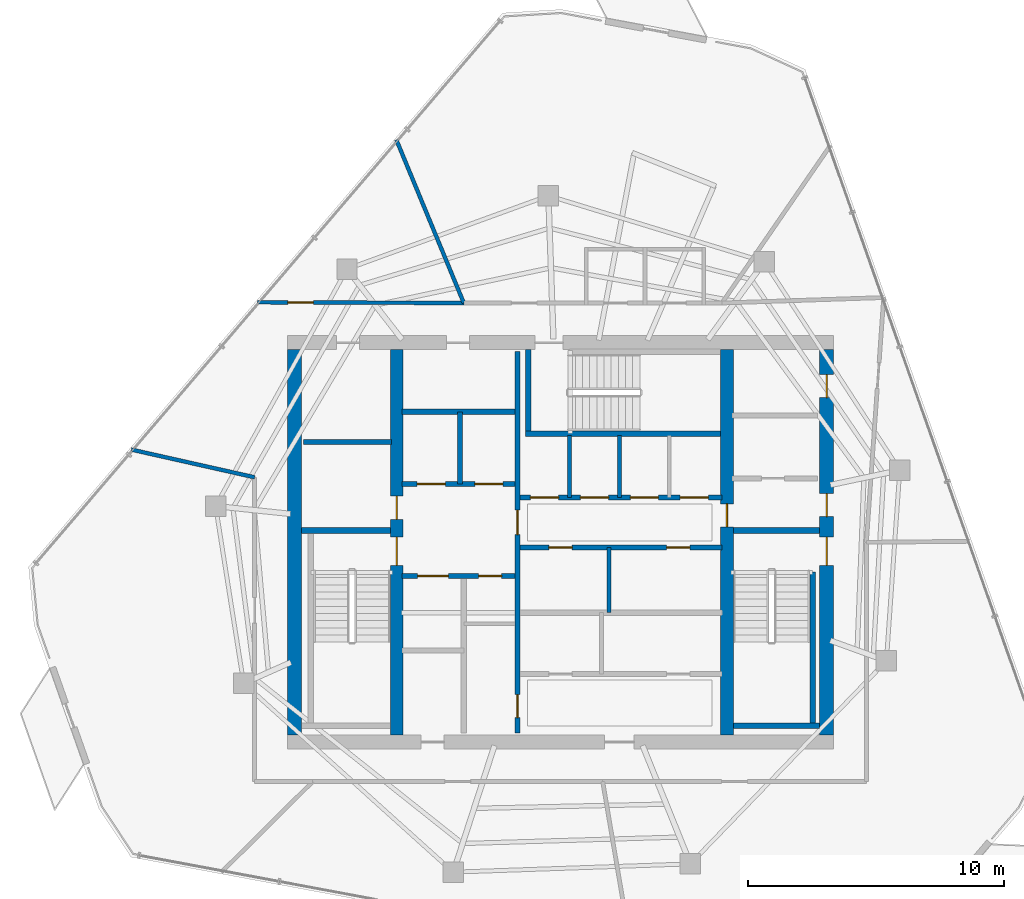
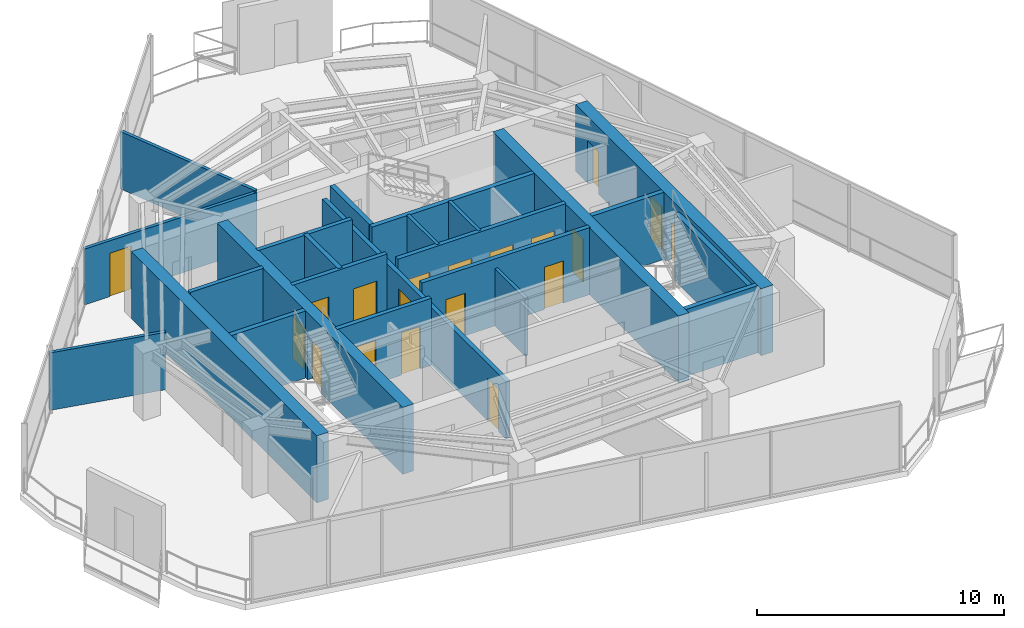
# One storey, part 15 of 18: 24 walls, 19 doors, 19 openings.
"""IFC4 building model written with IfcOpenShell, lengths in metres."""

from ifc_helpers import new_model, si_unit, direction, frame, frame_2d, origin, place, context, subcontext, project, spatial, rectangle, extrude, material, layer, layer_set, type_object, element, fill, save


model = new_model("IFC4")

# Units and contexts
model_context = context("Model", 3, precision=1e-05, world=origin(), true_north=direction((0.0, 1.0)))
body_context = subcontext(model_context, "Body", "Model", "MODEL_VIEW")
ifc_project = project(units=[si_unit("LENGTHUNIT", "METRE"), si_unit("AREAUNIT", "SQUARE_METRE"), si_unit("VOLUMEUNIT", "CUBIC_METRE"), si_unit("PLANEANGLEUNIT", "RADIAN"), si_unit("MASSUNIT", "GRAM", prefix="KILO")], contexts=[model_context])

# Site, building, storey
site_placement = place(None, origin())
site = spatial("IfcSite", under=ifc_project, at=site_placement, CompositionType="ELEMENT")
building_placement = place(site_placement, origin())
building = spatial("IfcBuilding", under=site, at=building_placement, Name="Qarnah Convention Tower", CompositionType="ELEMENT")
storey_placement = place(building_placement, frame((0.0, 0.0, 253.5)))
storey = spatial("IfcBuildingStorey", under=building, at=storey_placement, Name="L68", CompositionType="ELEMENT", Elevation=253.5)

# Wall
ifc_material_1 = material(Name="Concrete C60/75", Category="concrete")
ifc_layer_1 = layer(ifc_material_1, 0.550048828125)
ifc_layer_set_1 = layer_set([ifc_layer_1], Name="Concrete C60/75")
wall_type_1 = type_object("IfcWallType", Name="WL-CORE-550", PredefinedType="SHEAR", material=ifc_layer_set_1)
wall_1_placement = place(storey_placement, frame((26.800048828125, 18.875, 0.0), z_axis=(0.0, 0.0, 1.0), x_axis=(0.0, 1.0, 0.0)))
element("IfcWall", 1, at=wall_1_placement, inside=storey, type_object=wall_type_1, Name="L68 core west shear wall", PredefinedType="SHEAR", context=body_context, shape_type="SweptSolid", body=[
    extrude(rectangle(XDim=15.050048828125, YDim=0.550048828125, at=frame_2d((7.52490234375, 0.0))), origin(), (0.0, 0.0, 1.0), 3.320068359375),
])

# Wall, openings, doors
wall_2_placement = place(storey_placement, frame((47.60009765625, 18.875, 0.0), z_axis=(0.0, 0.0, 1.0), x_axis=(0.0, 1.0, 0.0)))
wall_2 = element("IfcWall", 2, at=wall_2_placement, inside=storey, type_object=wall_type_1, Name="L68 core east shear wall", PredefinedType="SHEAR", context=body_context, shape_type="SweptSolid", body=[
    extrude(rectangle(XDim=15.050048828125, YDim=0.550048828125, at=frame_2d((7.52490234375, 0.0))), origin(), (0.0, 0.0, 1.0), 3.320068359375),
])
opening_1_placement = place(wall_2_placement, frame((6.625, 0.0, 0.0)))
opening_1 = element("IfcOpeningElement", 3, at=opening_1_placement, cuts=wall_2, Name="Opening D-6802", PredefinedType="OPENING", context=body_context, shape_type="SweptSolid", body=[
    extrude(rectangle(XDim=1.10009765625, YDim=2.14990234375, at=frame_2d((0.550048828125, 1.074951171875))), frame((0.0, 0.284912109375, 0.0), z_axis=(0.0, -1.0, 0.0), x_axis=(1.0, 0.0, 0.0)), (0.0, 0.0, 1.0), 0.570068359375),
])
opening_2_placement = place(wall_2_placement, frame((8.52490234375, 0.0, 0.0)))
opening_2 = element("IfcOpeningElement", 4, at=opening_2_placement, cuts=wall_2, Name="Opening D-6806", PredefinedType="OPENING", context=body_context, shape_type="SweptSolid", body=[
    extrude(rectangle(XDim=0.89990234375, YDim=2.10009765625, at=frame_2d((0.449951171875, 1.050048828125))), frame((0.0, 0.284912109375, 0.0), z_axis=(0.0, -1.0, 0.0), x_axis=(1.0, 0.0, 0.0)), (0.0, 0.0, 1.0), 0.570068359375),
])
opening_3_placement = place(wall_2_placement, frame((13.175048828125, 0.0, 0.0)))
opening_3 = element("IfcOpeningElement", 5, at=opening_3_placement, cuts=wall_2, Name="Opening D-6812", PredefinedType="OPENING", context=body_context, shape_type="SweptSolid", body=[
    extrude(rectangle(XDim=0.89990234375, YDim=2.10009765625, at=frame_2d((0.449951171875, 1.050048828125))), frame((0.0, 0.284912109375, 0.0), z_axis=(0.0, -1.0, 0.0), x_axis=(1.0, 0.0, 0.0)), (0.0, 0.0, 1.0), 0.570068359375),
])
ifc_material_2 = material(Name="Structural steel S355JR", Category="steel")
door_type_1 = type_object("IfcDoorType", Name="DT-RISER-900", OperationType="NOTDEFINED", PredefinedType="DOOR", material=ifc_material_2)
door_1_placement = place(opening_2_placement, origin())
door_1 = element("IfcDoor", 6, at=door_1_placement, inside=storey, type_object=door_type_1, Name="Door D-6806", OperationType="SINGLE_SWING_LEFT", OverallHeight=2.10009765625, OverallWidth=0.89990234375, PredefinedType="DOOR", context=body_context, shape_type="SweptSolid", body=[
    extrude(rectangle(XDim=0.89990234375, YDim=2.10009765625, at=frame_2d((0.449951171875, 1.050048828125))), frame((0.0, 0.02490234375, 0.0), z_axis=(0.0, -1.0, 0.0), x_axis=(1.0, 0.0, 0.0)), (0.0, 0.0, 1.0), 0.050048828125),
])
fill(opening_2, door_1)
door_2_placement = place(opening_3_placement, origin())
door_2 = element("IfcDoor", 7, at=door_2_placement, inside=storey, type_object=door_type_1, Name="Door D-6812", OperationType="SINGLE_SWING_LEFT", OverallHeight=2.10009765625, OverallWidth=0.89990234375, PredefinedType="DOOR", context=body_context, shape_type="SweptSolid", body=[
    extrude(rectangle(XDim=0.89990234375, YDim=2.10009765625, at=frame_2d((0.449951171875, 1.050048828125))), frame((0.0, 0.02490234375, 0.0), z_axis=(0.0, -1.0, 0.0), x_axis=(1.0, 0.0, 0.0)), (0.0, 0.0, 1.0), 0.050048828125),
])
fill(opening_3, door_2)
door_type_2 = type_object("IfcDoorType", Name="DT-STAIR-1100", OperationType="NOTDEFINED", PredefinedType="DOOR", material=ifc_material_2)
door_3_placement = place(opening_1_placement, origin())
door_3 = element("IfcDoor", 8, at=door_3_placement, inside=storey, type_object=door_type_2, Name="Door D-6802", OperationType="SINGLE_SWING_LEFT", OverallHeight=2.14990234375, OverallWidth=1.10009765625, PredefinedType="DOOR", context=body_context, shape_type="SweptSolid", body=[
    extrude(rectangle(XDim=1.10009765625, YDim=2.14990234375, at=frame_2d((0.550048828125, 1.074951171875))), frame((0.0, 0.02490234375, 0.0), z_axis=(0.0, -1.0, 0.0), x_axis=(1.0, 0.0, 0.0)), (0.0, 0.0, 1.0), 0.050048828125),
])
fill(opening_1, door_3)

ifc_layer_2 = layer(ifc_material_1, 0.5)
ifc_layer_set_2 = layer_set([ifc_layer_2], Name="Concrete C60/75")
wall_type_2 = type_object("IfcWallType", Name="WL-CORE-INT-400", PredefinedType="SHEAR", material=ifc_layer_set_2)
wall_3_placement = place(storey_placement, frame((30.800048828125, 18.875, 0.0), z_axis=(0.0, 0.0, 1.0), x_axis=(0.0, 1.0, 0.0)))
wall_3 = element("IfcWall", 9, at=wall_3_placement, inside=storey, type_object=wall_type_2, Name="L68 core west spine shear wall", PredefinedType="SHEAR", context=body_context, shape_type="SweptSolid", body=[
    extrude(rectangle(XDim=15.050048828125, YDim=0.5, at=frame_2d((7.52490234375, 0.0))), origin(), (0.0, 0.0, 1.0), 3.320068359375),
])
opening_4_placement = place(wall_3_placement, frame((6.625, 0.0, 0.0)))
opening_4 = element("IfcOpeningElement", 10, at=opening_4_placement, cuts=wall_3, Name="Opening D-6801", PredefinedType="OPENING", context=body_context, shape_type="SweptSolid", body=[
    extrude(rectangle(XDim=1.10009765625, YDim=2.14990234375, at=frame_2d((0.550048828125, 1.074951171875))), frame((0.0, 0.260009765625, 0.0), z_axis=(0.0, -1.0, 0.0), x_axis=(1.0, 0.0, 0.0)), (0.0, 0.0, 1.0), 0.52001953125),
])
opening_5_placement = place(wall_3_placement, frame((8.425048828125, 0.0, 0.0)))
opening_5 = element("IfcOpeningElement", 11, at=opening_5_placement, cuts=wall_3, Name="Opening D-6808", PredefinedType="OPENING", context=body_context, shape_type="SweptSolid", body=[
    extrude(rectangle(XDim=0.89990234375, YDim=2.10009765625, at=frame_2d((0.449951171875, 1.050048828125))), frame((0.0, 0.260009765625, 0.0), z_axis=(0.0, -1.0, 0.0), x_axis=(1.0, 0.0, 0.0)), (0.0, 0.0, 1.0), 0.52001953125),
])
door_4_placement = place(opening_5_placement, origin())
door_4 = element("IfcDoor", 12, at=door_4_placement, inside=storey, type_object=door_type_1, Name="Door D-6808", OperationType="SINGLE_SWING_LEFT", OverallHeight=2.10009765625, OverallWidth=0.89990234375, PredefinedType="DOOR", context=body_context, shape_type="SweptSolid", body=[
    extrude(rectangle(XDim=0.89990234375, YDim=2.10009765625, at=frame_2d((0.449951171875, 1.050048828125))), frame((0.0, 0.02490234375, 0.0), z_axis=(0.0, -1.0, 0.0), x_axis=(1.0, 0.0, 0.0)), (0.0, 0.0, 1.0), 0.050048828125),
])
fill(opening_5, door_4)
door_5_placement = place(opening_4_placement, origin())
door_5 = element("IfcDoor", 13, at=door_5_placement, inside=storey, type_object=door_type_2, Name="Door D-6801", OperationType="SINGLE_SWING_RIGHT", OverallHeight=2.14990234375, OverallWidth=1.10009765625, PredefinedType="DOOR", context=body_context, shape_type="SweptSolid", body=[
    extrude(rectangle(XDim=1.10009765625, YDim=2.14990234375, at=frame_2d((0.550048828125, 1.074951171875))), frame((0.0, 0.02490234375, 0.0), z_axis=(0.0, -1.0, 0.0), x_axis=(1.0, 0.0, 0.0)), (0.0, 0.0, 1.0), 0.050048828125),
])
fill(opening_4, door_5)

# Wall, opening, door
wall_4_placement = place(storey_placement, frame((43.699951171875, 18.875, 0.0), z_axis=(0.0, 0.0, 1.0), x_axis=(0.0, 1.0, 0.0)))
wall_4 = element("IfcWall", 14, at=wall_4_placement, inside=storey, type_object=wall_type_2, Name="L68 core east spine shear wall", PredefinedType="SHEAR", context=body_context, shape_type="SweptSolid", body=[
    extrude(rectangle(XDim=15.050048828125, YDim=0.5, at=frame_2d((7.52490234375, 0.0))), origin(), (0.0, 0.0, 1.0), 3.320068359375),
])
opening_6_placement = place(wall_4_placement, frame((8.125, 0.0, 0.0)))
opening_6 = element("IfcOpeningElement", 15, at=opening_6_placement, cuts=wall_4, Name="Opening D-6805", PredefinedType="OPENING", context=body_context, shape_type="SweptSolid", body=[
    extrude(rectangle(XDim=0.89990234375, YDim=2.10009765625, at=frame_2d((0.449951171875, 1.050048828125))), frame((0.0, 0.260009765625, 0.0), z_axis=(0.0, -1.0, 0.0), x_axis=(1.0, 0.0, 0.0)), (0.0, 0.0, 1.0), 0.52001953125),
])
door_6_placement = place(opening_6_placement, origin())
door_6 = element("IfcDoor", 16, at=door_6_placement, inside=storey, type_object=door_type_1, Name="Door D-6805", OperationType="SINGLE_SWING_RIGHT", OverallHeight=2.10009765625, OverallWidth=0.89990234375, PredefinedType="DOOR", context=body_context, shape_type="SweptSolid", body=[
    extrude(rectangle(XDim=0.89990234375, YDim=2.10009765625, at=frame_2d((0.449951171875, 1.050048828125))), frame((0.0, 0.02490234375, 0.0), z_axis=(0.0, -1.0, 0.0), x_axis=(1.0, 0.0, 0.0)), (0.0, 0.0, 1.0), 0.050048828125),
])
fill(opening_6, door_6)

# Wall
ifc_material_3 = material(Name="Concrete C45/55", Category="concrete")
ifc_layer_3 = layer(ifc_material_3, 0.199951171875)
ifc_layer_set_3 = layer_set([ifc_layer_3], Name="Concrete C45/55")
wall_type_3 = type_object("IfcWallType", Name="WL-CORE-PART-200", PredefinedType="SOLIDWALL", material=ifc_layer_set_3)
wall_5_placement = place(storey_placement, frame((27.14990234375, 30.320068359375, 0.0), z_axis=(0.0, 0.0, 1.0), x_axis=(1.0, 0.0, 0.0)))
element("IfcWall", 17, at=wall_5_placement, inside=storey, type_object=wall_type_3, Name="L68 interior wall IW-L68-ELRN", PredefinedType="SOLIDWALL", context=body_context, shape_type="SweptSolid", body=[
    extrude(rectangle(XDim=3.4501953125, YDim=0.199951171875, at=frame_2d((1.72509765625, 0.0))), origin(), (0.0, 0.0, 1.0), 3.320068359375),
])

# Wall, openings, doors
wall_6_placement = place(storey_placement, frame((35.52001953125, 18.949951171875, 0.0), z_axis=(0.0, 0.0, 1.0), x_axis=(0.0, 1.0, 0.0)))
wall_6 = element("IfcWall", 18, at=wall_6_placement, inside=storey, type_object=wall_type_3, Name="L68 interior wall IW-L68-CSP", PredefinedType="SOLIDWALL", context=body_context, shape_type="SweptSolid", body=[
    extrude(rectangle(XDim=14.900146484375, YDim=0.199951171875, at=frame_2d((7.4501953125, 0.0))), origin(), (0.0, 0.0, 1.0), 2.841064453125),
])
opening_7_placement = place(wall_6_placement, frame((7.7548828125, 0.0, 0.0)))
opening_7 = element("IfcOpeningElement", 19, at=opening_7_placement, cuts=wall_6, Name="Opening D-6804", PredefinedType="OPENING", context=body_context, shape_type="SweptSolid", body=[
    extrude(rectangle(XDim=0.949951171875, YDim=2.14990234375, at=frame_2d((0.47509765625, 1.074951171875))), frame((0.0, 0.10986328125, 0.0), z_axis=(0.0, -1.0, 0.0), x_axis=(1.0, 0.0, 0.0)), (0.0, 0.0, 1.0), 0.219970703125),
])
opening_8_placement = place(wall_6_placement, frame((0.60009765625, 0.0, 0.0)))
opening_8 = element("IfcOpeningElement", 20, at=opening_8_placement, cuts=wall_6, Name="Opening D-6814", PredefinedType="OPENING", context=body_context, shape_type="SweptSolid", body=[
    extrude(rectangle(XDim=0.89990234375, YDim=2.10009765625, at=frame_2d((0.449951171875, 1.050048828125))), frame((0.0, 0.10986328125, 0.0), z_axis=(0.0, -1.0, 0.0), x_axis=(1.0, 0.0, 0.0)), (0.0, 0.0, 1.0), 0.219970703125),
])
ifc_material_4 = material(Name="Oak timber veneer", Category="wood")
door_type_3 = type_object("IfcDoorType", Name="DT-HOTEL-950", OperationType="NOTDEFINED", PredefinedType="DOOR", material=ifc_material_4)
door_7_placement = place(opening_7_placement, origin())
door_7 = element("IfcDoor", 21, at=door_7_placement, inside=storey, type_object=door_type_3, Name="Door D-6804", OperationType="SINGLE_SWING_LEFT", OverallHeight=2.14990234375, OverallWidth=0.949951171875, PredefinedType="DOOR", context=body_context, shape_type="SweptSolid", body=[
    extrude(rectangle(XDim=0.949951171875, YDim=2.14990234375, at=frame_2d((0.47509765625, 1.074951171875))), frame((0.0, 0.02490234375, 0.0), z_axis=(0.0, -1.0, 0.0), x_axis=(1.0, 0.0, 0.0)), (0.0, 0.0, 1.0), 0.050048828125),
])
fill(opening_7, door_7)
door_8_placement = place(opening_8_placement, origin())
door_8 = element("IfcDoor", 22, at=door_8_placement, inside=storey, type_object=door_type_1, Name="Door D-6814", OperationType="SINGLE_SWING_LEFT", OverallHeight=2.10009765625, OverallWidth=0.89990234375, PredefinedType="DOOR", context=body_context, shape_type="SweptSolid", body=[
    extrude(rectangle(XDim=0.89990234375, YDim=2.10009765625, at=frame_2d((0.449951171875, 1.050048828125))), frame((0.0, 0.02490234375, 0.0), z_axis=(0.0, -1.0, 0.0), x_axis=(1.0, 0.0, 0.0)), (0.0, 0.0, 1.0), 0.050048828125),
])
fill(opening_8, door_8)

wall_7_placement = place(storey_placement, frame((31.0, 28.679931640625, 0.0), z_axis=(0.0, 0.0, 1.0), x_axis=(1.0, 0.0, 0.0)))
wall_7 = element("IfcWall", 23, at=wall_7_placement, inside=storey, type_object=wall_type_3, Name="L68 interior wall IW-L68-FFLS", PredefinedType="SOLIDWALL", context=body_context, shape_type="SweptSolid", body=[
    extrude(rectangle(XDim=4.419921875, YDim=0.199951171875, at=frame_2d((2.2099609375, 0.0))), origin(), (0.0, 0.0, 1.0), 3.320068359375),
])
opening_9_placement = place(wall_7_placement, frame((0.60009765625, 0.0, 0.0)))
opening_9 = element("IfcOpeningElement", 24, at=opening_9_placement, cuts=wall_7, Name="Opening LD-6801", PredefinedType="OPENING", context=body_context, shape_type="SweptSolid", body=[
    extrude(rectangle(XDim=1.10009765625, YDim=2.14990234375, at=frame_2d((0.550048828125, 1.074951171875))), frame((0.0, 0.10986328125, 0.0), z_axis=(0.0, -1.0, 0.0), x_axis=(1.0, 0.0, 0.0)), (0.0, 0.0, 1.0), 0.219970703125),
])
opening_10_placement = place(wall_7_placement, frame((2.85009765625, 0.0, 0.0)))
opening_10 = element("IfcOpeningElement", 25, at=opening_10_placement, cuts=wall_7, Name="Opening LD-6802", PredefinedType="OPENING", context=body_context, shape_type="SweptSolid", body=[
    extrude(rectangle(XDim=1.10009765625, YDim=2.14990234375, at=frame_2d((0.550048828125, 1.074951171875))), frame((0.0, 0.10986328125, 0.0), z_axis=(0.0, -1.0, 0.0), x_axis=(1.0, 0.0, 0.0)), (0.0, 0.0, 1.0), 0.219970703125),
])
door_type_4 = type_object("IfcDoorType", Name="DT-LIFT-1100", OperationType="SLIDING_TO_LEFT", PredefinedType="DOOR", material=ifc_material_2)
door_9_placement = place(opening_9_placement, origin())
door_9 = element("IfcDoor", 26, at=door_9_placement, inside=storey, type_object=door_type_4, Name="Door LD-6801", OperationType="SLIDING_TO_LEFT", OverallHeight=2.14990234375, OverallWidth=1.10009765625, PredefinedType="DOOR", context=body_context, shape_type="SweptSolid", body=[
    extrude(rectangle(XDim=1.10009765625, YDim=2.14990234375, at=frame_2d((0.550048828125, 1.074951171875))), frame((0.0, 0.02490234375, 0.0), z_axis=(0.0, -1.0, 0.0), x_axis=(1.0, 0.0, 0.0)), (0.0, 0.0, 1.0), 0.050048828125),
])
fill(opening_9, door_9)
door_10_placement = place(opening_10_placement, origin())
door_10 = element("IfcDoor", 27, at=door_10_placement, inside=storey, type_object=door_type_4, Name="Door LD-6802", OperationType="SLIDING_TO_LEFT", OverallHeight=2.14990234375, OverallWidth=1.10009765625, PredefinedType="DOOR", context=body_context, shape_type="SweptSolid", body=[
    extrude(rectangle(XDim=1.10009765625, YDim=2.14990234375, at=frame_2d((0.550048828125, 1.074951171875))), frame((0.0, 0.02490234375, 0.0), z_axis=(0.0, -1.0, 0.0), x_axis=(1.0, 0.0, 0.0)), (0.0, 0.0, 1.0), 0.050048828125),
])
fill(opening_10, door_10)

# Walls
wall_8_placement = place(storey_placement, frame((31.0, 31.5, 0.0), z_axis=(0.0, 0.0, 1.0), x_axis=(1.0, 0.0, 0.0)))
element("IfcWall", 28, at=wall_8_placement, inside=storey, type_object=wall_type_3, Name="L68 interior wall IW-L68-FFLN", PredefinedType="SOLIDWALL", context=body_context, shape_type="SweptSolid", body=[
    extrude(rectangle(XDim=4.419921875, YDim=0.199951171875, at=frame_2d((2.2099609375, 0.0))), origin(), (0.0, 0.0, 1.0), 3.320068359375),
])
wall_9_placement = place(storey_placement, frame((33.280029296875, 28.679931640625, 0.0), z_axis=(0.0, 0.0, 1.0), x_axis=(0.0, 1.0, 0.0)))
element("IfcWall", 29, at=wall_9_placement, inside=storey, type_object=wall_type_3, Name="L68 interior wall IW-L68-FFLM", PredefinedType="SOLIDWALL", context=body_context, shape_type="SweptSolid", body=[
    extrude(rectangle(XDim=2.820068359375, YDim=0.199951171875, at=frame_2d((1.41015625, 0.0))), origin(), (0.0, 0.0, 1.0), 3.320068359375),
])

# Wall, openings, doors
wall_10_placement = place(storey_placement, frame((31.0, 25.080078125, 0.0), z_axis=(0.0, 0.0, 1.0), x_axis=(1.0, 0.0, 0.0)))
wall_10 = element("IfcWall", 30, at=wall_10_placement, inside=storey, type_object=wall_type_3, Name="L68 interior wall IW-L68-FFLBS", PredefinedType="SOLIDWALL", context=body_context, shape_type="SweptSolid", body=[
    extrude(rectangle(XDim=4.419921875, YDim=0.199951171875, at=frame_2d((2.2099609375, 0.0))), origin(), (0.0, 0.0, 1.0), 3.320068359375),
])
opening_11_placement = place(wall_10_placement, frame((3.0, 0.0, 0.0)))
opening_11 = element("IfcOpeningElement", 31, at=opening_11_placement, cuts=wall_10, Name="Opening D-6815", PredefinedType="OPENING", context=body_context, shape_type="SweptSolid", body=[
    extrude(rectangle(XDim=0.89990234375, YDim=2.10009765625, at=frame_2d((0.449951171875, 1.050048828125))), frame((0.0, 0.10986328125, 0.0), z_axis=(0.0, -1.0, 0.0), x_axis=(1.0, 0.0, 0.0)), (0.0, 0.0, 1.0), 0.219970703125),
])
opening_12_placement = place(wall_10_placement, frame((0.6201171875, 0.0, 0.0)))
opening_12 = element("IfcOpeningElement", 32, at=opening_12_placement, cuts=wall_10, Name="Opening LD-6803", PredefinedType="OPENING", context=body_context, shape_type="SweptSolid", body=[
    extrude(rectangle(XDim=1.199951171875, YDim=2.14990234375, at=frame_2d((0.60009765625, 1.074951171875))), frame((0.0, 0.10986328125, 0.0), z_axis=(0.0, -1.0, 0.0), x_axis=(1.0, 0.0, 0.0)), (0.0, 0.0, 1.0), 0.219970703125),
])
door_type_5 = type_object("IfcDoorType", Name="DT-LIFT-1200", OperationType="SLIDING_TO_LEFT", PredefinedType="DOOR", material=ifc_material_2)
door_11_placement = place(opening_12_placement, origin())
door_11 = element("IfcDoor", 33, at=door_11_placement, inside=storey, type_object=door_type_5, Name="Door LD-6803", OperationType="SLIDING_TO_LEFT", OverallHeight=2.14990234375, OverallWidth=1.199951171875, PredefinedType="DOOR", context=body_context, shape_type="SweptSolid", body=[
    extrude(rectangle(XDim=1.199951171875, YDim=2.14990234375, at=frame_2d((0.60009765625, 1.074951171875))), frame((0.0, 0.02490234375, 0.0), z_axis=(0.0, -1.0, 0.0), x_axis=(1.0, 0.0, 0.0)), (0.0, 0.0, 1.0), 0.050048828125),
])
fill(opening_12, door_11)
door_12_placement = place(opening_11_placement, origin())
door_12 = element("IfcDoor", 34, at=door_12_placement, inside=storey, type_object=door_type_1, Name="Door D-6815", OperationType="SINGLE_SWING_RIGHT", OverallHeight=2.10009765625, OverallWidth=0.89990234375, PredefinedType="DOOR", context=body_context, shape_type="SweptSolid", body=[
    extrude(rectangle(XDim=0.89990234375, YDim=2.10009765625, at=frame_2d((0.449951171875, 1.050048828125))), frame((0.0, 0.02490234375, 0.0), z_axis=(0.0, -1.0, 0.0), x_axis=(1.0, 0.0, 0.0)), (0.0, 0.0, 1.0), 0.050048828125),
])
fill(opening_11, door_12)

wall_11_placement = place(storey_placement, frame((35.6201171875, 28.14990234375, 0.0), z_axis=(0.0, 0.0, 1.0), x_axis=(1.0, 0.0, 0.0)))
wall_11 = element("IfcWall", 35, at=wall_11_placement, inside=storey, type_object=wall_type_3, Name="L68 interior wall IW-L68-PHS", PredefinedType="SOLIDWALL", context=body_context, shape_type="SweptSolid", body=[
    extrude(rectangle(XDim=7.8798828125, YDim=0.199951171875, at=frame_2d((3.93994140625, 0.0))), origin(), (0.0, 0.0, 1.0), 3.320068359375),
])
opening_13_placement = place(wall_11_placement, frame((0.405029296875, 0.0, 0.0)))
opening_13 = element("IfcOpeningElement", 36, at=opening_13_placement, cuts=wall_11, Name="Opening LD-6804", PredefinedType="OPENING", context=body_context, shape_type="SweptSolid", body=[
    extrude(rectangle(XDim=1.10009765625, YDim=2.14990234375, at=frame_2d((0.550048828125, 1.074951171875))), frame((0.0, 0.10986328125, 0.0), z_axis=(0.0, -1.0, 0.0), x_axis=(1.0, 0.0, 0.0)), (0.0, 0.0, 1.0), 0.219970703125),
])
opening_14_placement = place(wall_11_placement, frame((2.35498046875, 0.0, 0.0)))
opening_14 = element("IfcOpeningElement", 37, at=opening_14_placement, cuts=wall_11, Name="Opening LD-6805", PredefinedType="OPENING", context=body_context, shape_type="SweptSolid", body=[
    extrude(rectangle(XDim=1.10009765625, YDim=2.14990234375, at=frame_2d((0.550048828125, 1.074951171875))), frame((0.0, 0.10986328125, 0.0), z_axis=(0.0, -1.0, 0.0), x_axis=(1.0, 0.0, 0.0)), (0.0, 0.0, 1.0), 0.219970703125),
])
opening_15_placement = place(wall_11_placement, frame((4.304931640625, 0.0, 0.0)))
opening_15 = element("IfcOpeningElement", 38, at=opening_15_placement, cuts=wall_11, Name="Opening LD-6806", PredefinedType="OPENING", context=body_context, shape_type="SweptSolid", body=[
    extrude(rectangle(XDim=1.10009765625, YDim=2.14990234375, at=frame_2d((0.550048828125, 1.074951171875))), frame((0.0, 0.10986328125, 0.0), z_axis=(0.0, -1.0, 0.0), x_axis=(1.0, 0.0, 0.0)), (0.0, 0.0, 1.0), 0.219970703125),
])
opening_16_placement = place(wall_11_placement, frame((6.2548828125, 0.0, 0.0)))
opening_16 = element("IfcOpeningElement", 39, at=opening_16_placement, cuts=wall_11, Name="Opening LD-6807", PredefinedType="OPENING", context=body_context, shape_type="SweptSolid", body=[
    extrude(rectangle(XDim=1.10009765625, YDim=2.14990234375, at=frame_2d((0.550048828125, 1.074951171875))), frame((0.0, 0.10986328125, 0.0), z_axis=(0.0, -1.0, 0.0), x_axis=(1.0, 0.0, 0.0)), (0.0, 0.0, 1.0), 0.219970703125),
])
door_13_placement = place(opening_13_placement, origin())
door_13 = element("IfcDoor", 40, at=door_13_placement, inside=storey, type_object=door_type_4, Name="Door LD-6804", OperationType="SLIDING_TO_LEFT", OverallHeight=2.14990234375, OverallWidth=1.10009765625, PredefinedType="DOOR", context=body_context, shape_type="SweptSolid", body=[
    extrude(rectangle(XDim=1.10009765625, YDim=2.14990234375, at=frame_2d((0.550048828125, 1.074951171875))), frame((0.0, 0.02490234375, 0.0), z_axis=(0.0, -1.0, 0.0), x_axis=(1.0, 0.0, 0.0)), (0.0, 0.0, 1.0), 0.050048828125),
])
fill(opening_13, door_13)
door_14_placement = place(opening_14_placement, origin())
door_14 = element("IfcDoor", 41, at=door_14_placement, inside=storey, type_object=door_type_4, Name="Door LD-6805", OperationType="SLIDING_TO_LEFT", OverallHeight=2.14990234375, OverallWidth=1.10009765625, PredefinedType="DOOR", context=body_context, shape_type="SweptSolid", body=[
    extrude(rectangle(XDim=1.10009765625, YDim=2.14990234375, at=frame_2d((0.550048828125, 1.074951171875))), frame((0.0, 0.02490234375, 0.0), z_axis=(0.0, -1.0, 0.0), x_axis=(1.0, 0.0, 0.0)), (0.0, 0.0, 1.0), 0.050048828125),
])
fill(opening_14, door_14)
door_15_placement = place(opening_15_placement, origin())
door_15 = element("IfcDoor", 42, at=door_15_placement, inside=storey, type_object=door_type_4, Name="Door LD-6806", OperationType="SLIDING_TO_LEFT", OverallHeight=2.14990234375, OverallWidth=1.10009765625, PredefinedType="DOOR", context=body_context, shape_type="SweptSolid", body=[
    extrude(rectangle(XDim=1.10009765625, YDim=2.14990234375, at=frame_2d((0.550048828125, 1.074951171875))), frame((0.0, 0.02490234375, 0.0), z_axis=(0.0, -1.0, 0.0), x_axis=(1.0, 0.0, 0.0)), (0.0, 0.0, 1.0), 0.050048828125),
])
fill(opening_15, door_15)
door_16_placement = place(opening_16_placement, origin())
door_16 = element("IfcDoor", 43, at=door_16_placement, inside=storey, type_object=door_type_4, Name="Door LD-6807", OperationType="SLIDING_TO_LEFT", OverallHeight=2.14990234375, OverallWidth=1.10009765625, PredefinedType="DOOR", context=body_context, shape_type="SweptSolid", body=[
    extrude(rectangle(XDim=1.10009765625, YDim=2.14990234375, at=frame_2d((0.550048828125, 1.074951171875))), frame((0.0, 0.02490234375, 0.0), z_axis=(0.0, -1.0, 0.0), x_axis=(1.0, 0.0, 0.0)), (0.0, 0.0, 1.0), 0.050048828125),
])
fill(opening_16, door_16)

wall_12_placement = place(storey_placement, frame((35.6201171875, 26.199951171875, 0.0), z_axis=(0.0, 0.0, 1.0), x_axis=(1.0, 0.0, 0.0)))
wall_12 = element("IfcWall", 44, at=wall_12_placement, inside=storey, type_object=wall_type_3, Name="L68 interior wall IW-L68-PMN", PredefinedType="SOLIDWALL", context=body_context, shape_type="SweptSolid", body=[
    extrude(rectangle(XDim=7.8798828125, YDim=0.199951171875, at=frame_2d((3.93994140625, 0.0))), origin(), (0.0, 0.0, 1.0), 3.320068359375),
])
opening_17_placement = place(wall_12_placement, frame((1.1298828125, 0.0, 0.0)))
opening_17 = element("IfcOpeningElement", 45, at=opening_17_placement, cuts=wall_12, Name="Opening D-6818", PredefinedType="OPENING", context=body_context, shape_type="SweptSolid", body=[
    extrude(rectangle(XDim=0.89990234375, YDim=2.10009765625, at=frame_2d((0.449951171875, 1.050048828125))), frame((0.0, 0.10986328125, 0.0), z_axis=(0.0, -1.0, 0.0), x_axis=(1.0, 0.0, 0.0)), (0.0, 0.0, 1.0), 0.219970703125),
])
opening_18_placement = place(wall_12_placement, frame((5.72998046875, 0.0, 0.0)))
opening_18 = element("IfcOpeningElement", 46, at=opening_18_placement, cuts=wall_12, Name="Opening D-6819", PredefinedType="OPENING", context=body_context, shape_type="SweptSolid", body=[
    extrude(rectangle(XDim=0.89990234375, YDim=2.10009765625, at=frame_2d((0.449951171875, 1.050048828125))), frame((0.0, 0.10986328125, 0.0), z_axis=(0.0, -1.0, 0.0), x_axis=(1.0, 0.0, 0.0)), (0.0, 0.0, 1.0), 0.219970703125),
])
door_17_placement = place(opening_17_placement, origin())
door_17 = element("IfcDoor", 47, at=door_17_placement, inside=storey, type_object=door_type_1, Name="Door D-6818", OperationType="SINGLE_SWING_LEFT", OverallHeight=2.10009765625, OverallWidth=0.89990234375, PredefinedType="DOOR", context=body_context, shape_type="SweptSolid", body=[
    extrude(rectangle(XDim=0.89990234375, YDim=2.10009765625, at=frame_2d((0.449951171875, 1.050048828125))), frame((0.0, 0.02490234375, 0.0), z_axis=(0.0, -1.0, 0.0), x_axis=(1.0, 0.0, 0.0)), (0.0, 0.0, 1.0), 0.050048828125),
])
fill(opening_17, door_17)
door_18_placement = place(opening_18_placement, origin())
door_18 = element("IfcDoor", 48, at=door_18_placement, inside=storey, type_object=door_type_1, Name="Door D-6819", OperationType="SINGLE_SWING_RIGHT", OverallHeight=2.10009765625, OverallWidth=0.89990234375, PredefinedType="DOOR", context=body_context, shape_type="SweptSolid", body=[
    extrude(rectangle(XDim=0.89990234375, YDim=2.10009765625, at=frame_2d((0.449951171875, 1.050048828125))), frame((0.0, 0.02490234375, 0.0), z_axis=(0.0, -1.0, 0.0), x_axis=(1.0, 0.0, 0.0)), (0.0, 0.0, 1.0), 0.050048828125),
])
fill(opening_18, door_18)

# Walls
ifc_layer_4 = layer(ifc_material_1, 0.219970703125)
ifc_layer_set_4 = layer_set([ifc_layer_4], Name="Concrete C60/75")
wall_type_4 = type_object("IfcWallType", Name="WL-CORE-STAIR-220", PredefinedType="SHEAR", material=ifc_layer_set_4)
wall_13_placement = place(storey_placement, frame((27.074951171875, 26.860107421875, 0.0), z_axis=(0.0, 0.0, 1.0), x_axis=(1.0, 0.0, 0.0)))
element("IfcWall", 49, at=wall_13_placement, inside=storey, type_object=wall_type_4, Name="L68 stair shaft shear wall SW-L68-ST1N", PredefinedType="SHEAR", context=body_context, shape_type="SweptSolid", body=[
    extrude(rectangle(XDim=3.47509765625, YDim=0.219970703125, at=frame_2d((1.737548828125, 0.0))), origin(), (0.0, 0.0, 1.0), 3.320068359375),
])
wall_14_placement = place(storey_placement, frame((43.949951171875, 26.860107421875, 0.0), z_axis=(0.0, 0.0, 1.0), x_axis=(1.0, 0.0, 0.0)))
element("IfcWall", 50, at=wall_14_placement, inside=storey, type_object=wall_type_4, Name="L68 stair shaft shear wall SW-L68-ST2N", PredefinedType="SHEAR", context=body_context, shape_type="SweptSolid", body=[
    extrude(rectangle(XDim=3.375, YDim=0.219970703125, at=frame_2d((1.6875, 0.0))), origin(), (0.0, 0.0, 1.0), 3.320068359375),
])
wall_15_placement = place(storey_placement, frame((47.06005859375, 19.35009765625, 0.0), z_axis=(0.0, 0.0, 1.0), x_axis=(0.0, 1.0, 0.0)))
element("IfcWall", 51, at=wall_15_placement, inside=storey, type_object=wall_type_4, Name="L68 stair shaft shear wall SW-L68-ST2E", PredefinedType="SHEAR", context=body_context, shape_type="SweptSolid", body=[
    extrude(rectangle(XDim=5.89990234375, YDim=0.219970703125, at=frame_2d((2.949951171875, 0.0))), origin(), (0.0, 0.0, 1.0), 3.320068359375),
])
wall_16_placement = place(storey_placement, frame((43.949951171875, 19.239990234375, 0.0), z_axis=(0.0, 0.0, 1.0), x_axis=(1.0, 0.0, 0.0)))
element("IfcWall", 52, at=wall_16_placement, inside=storey, type_object=wall_type_4, Name="L68 stair shaft shear wall SW-L68-ST2S", PredefinedType="SHEAR", context=body_context, shape_type="SweptSolid", body=[
    extrude(rectangle(XDim=3.375, YDim=0.219970703125, at=frame_2d((1.6875, 0.0))), origin(), (0.0, 0.0, 1.0), 3.320068359375),
])
wall_17_placement = place(storey_placement, frame((35.840087890625, 30.639892578125, 0.0), z_axis=(0.0, 0.0, 1.0), x_axis=(1.0, 0.0, 0.0)))
element("IfcWall", 53, at=wall_17_placement, inside=storey, type_object=wall_type_4, Name="L68 stair shaft shear wall SW-L68-ST3S", PredefinedType="SHEAR", context=body_context, shape_type="SweptSolid", body=[
    extrude(rectangle(XDim=7.60986328125, YDim=0.219970703125, at=frame_2d((3.804931640625, 0.0))), origin(), (0.0, 0.0, 1.0), 3.320068359375),
])
wall_18_placement = place(storey_placement, frame((35.93994140625, 30.75, 0.0), z_axis=(0.0, 0.0, 1.0), x_axis=(0.0, 1.0, 0.0)))
element("IfcWall", 54, at=wall_18_placement, inside=storey, type_object=wall_type_4, Name="L68 stair shaft shear wall SW-L68-ST3W", PredefinedType="SHEAR", context=body_context, shape_type="SweptSolid", body=[
    extrude(rectangle(XDim=3.175048828125, YDim=0.219970703125, at=frame_2d((1.58740234375, 0.0))), origin(), (0.0, 0.0, 1.0), 3.320068359375),
])
ifc_material_5 = material(Name="Gypsum partition board")
ifc_layer_5 = layer(ifc_material_5, 0.14990234375)
ifc_layer_set_5 = layer_set([ifc_layer_5], Name="Gypsum partition board")
wall_type_5 = type_object("IfcWallType", Name="WL-SUITE-150", PredefinedType="PARTITIONING", material=ifc_layer_set_5)
for number, where, z_axis, x_axis, name in (
    (55, (37.550048828125, 28.14990234375, 0.0), (0.0, 0.0, 1.0), (0.0, 1.0, 0.0), "L68 interior wall IW-L68-PHD1"),
    (56, (39.5, 28.14990234375, 0.0), (0.0, 0.0, 1.0), (0.0, 1.0, 0.0), "L68 interior wall IW-L68-PHD2"),
):
    element("IfcWall", number, at=place(storey_placement, frame(where, z_axis=z_axis, x_axis=x_axis)), inside=storey, type_object=wall_type_5, Name=name, PredefinedType="PARTITIONING", context=body_context, shape_type="SweptSolid", body=[
        extrude(rectangle(XDim=2.43017578125, YDim=0.14990234375, at=frame_2d((1.215087890625, 0.0))), origin(), (0.0, 0.0, 1.0), 3.320068359375),
    ])
wall_19_placement = place(storey_placement, frame((39.10009765625, 23.64990234375, 0.0), z_axis=(0.0, 0.0, 1.0), x_axis=(0.0, 1.0, 0.0)))
element("IfcWall", 57, at=wall_19_placement, inside=storey, type_object=wall_type_5, Name="L68 interior wall IW-L68-PMFD", PredefinedType="PARTITIONING", context=body_context, shape_type="SweptSolid", body=[
    extrude(rectangle(XDim=2.550048828125, YDim=0.14990234375, at=frame_2d((1.27490234375, 0.0))), origin(), (0.0, 0.0, 1.0), 2.841064453125),
])
wall_20_placement = place(storey_placement, frame((30.7880859375, 42.123046875, 0.0), z_axis=(0.0, 0.0, 1.0), x_axis=(0.381969221586, -0.924175044979, 0.0)))
element("IfcWall", 58, at=wall_20_placement, inside=storey, type_object=wall_type_5, Name="L68 interior wall IW-L68-R-12", PredefinedType="PARTITIONING", context=body_context, shape_type="SweptSolid", body=[
    extrude(rectangle(XDim=6.89599609375, YDim=0.14990234375, at=frame_2d((3.447998046875, 0.0))), origin(), (0.0, 0.0, 1.0), 2.844970703125),
])

# Wall, opening, door
wall_21_placement = place(storey_placement, frame((25.3701171875, 35.778076171875, 0.0), z_axis=(0.0, 0.0, 1.0), x_axis=(0.999993920973, -0.003486834872, 0.0)))
wall_21 = element("IfcWall", 59, at=wall_21_placement, inside=storey, type_object=wall_type_5, Name="L68 interior wall IW-L68-R-15", PredefinedType="PARTITIONING", context=body_context, shape_type="SweptSolid", body=[
    extrude(rectangle(XDim=8.052001953125, YDim=0.14990234375, at=frame_2d((4.02587890625, 0.0))), origin(), (0.0, 0.0, 1.0), 2.764892578125),
])
opening_19_placement = place(wall_21_placement, frame((1.178955078125, 0.0, 0.0)))
opening_19 = element("IfcOpeningElement", 60, at=opening_19_placement, cuts=wall_21, Name="Opening D-6824", PredefinedType="OPENING", context=body_context, shape_type="SweptSolid", body=[
    extrude(rectangle(XDim=1.0, YDim=2.14990234375, at=frame_2d((0.5, 1.074951171875))), frame((0.0, 0.0849609375, 0.0), z_axis=(0.0, -1.0, 0.0), x_axis=(1.0, 0.0, 0.0)), (0.0, 0.0, 1.0), 0.169921875),
])
door_type_6 = type_object("IfcDoorType", Name="DT-OFFICE-1000", OperationType="NOTDEFINED", PredefinedType="DOOR", material=ifc_material_4)
door_19_placement = place(opening_19_placement, origin())
door_19 = element("IfcDoor", 61, at=door_19_placement, inside=storey, type_object=door_type_6, Name="Door D-6824", OperationType="SINGLE_SWING_LEFT", OverallHeight=2.14990234375, OverallWidth=1.0, PredefinedType="DOOR", context=body_context, shape_type="SweptSolid", body=[
    extrude(rectangle(XDim=1.0, YDim=2.14990234375, at=frame_2d((0.5, 1.074951171875))), frame((0.0, 0.02490234375, 0.0), z_axis=(0.0, -1.0, 0.0), x_axis=(1.0, 0.0, 0.0)), (0.0, 0.0, 1.0), 0.050048828125),
])
fill(opening_19, door_19)

# Wall
wall_22_placement = place(storey_placement, frame((25.25, 28.93994140625, 0.0), z_axis=(0.0, 0.0, 1.0), x_axis=(-0.975665562948, 0.219264017288, 0.0)))
element("IfcWall", 62, at=wall_22_placement, inside=storey, type_object=wall_type_5, Name="L68 interior wall IW-L68-R-19", PredefinedType="PARTITIONING", context=body_context, shape_type="SweptSolid", body=[
    extrude(rectangle(XDim=4.939208984375, YDim=0.14990234375, at=frame_2d((2.4697265625, 0.0))), origin(), (0.0, 0.0, 1.0), 2.844970703125),
])

save(model, "model.ifc")
